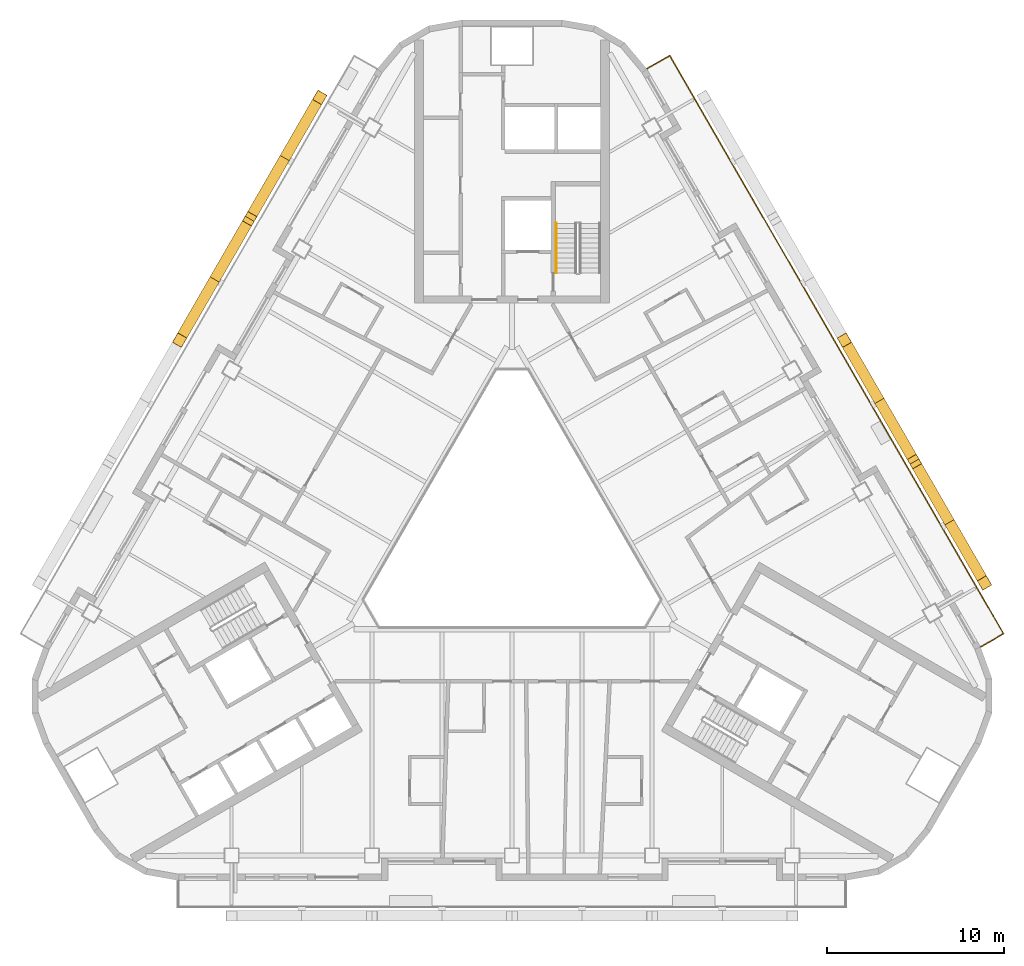
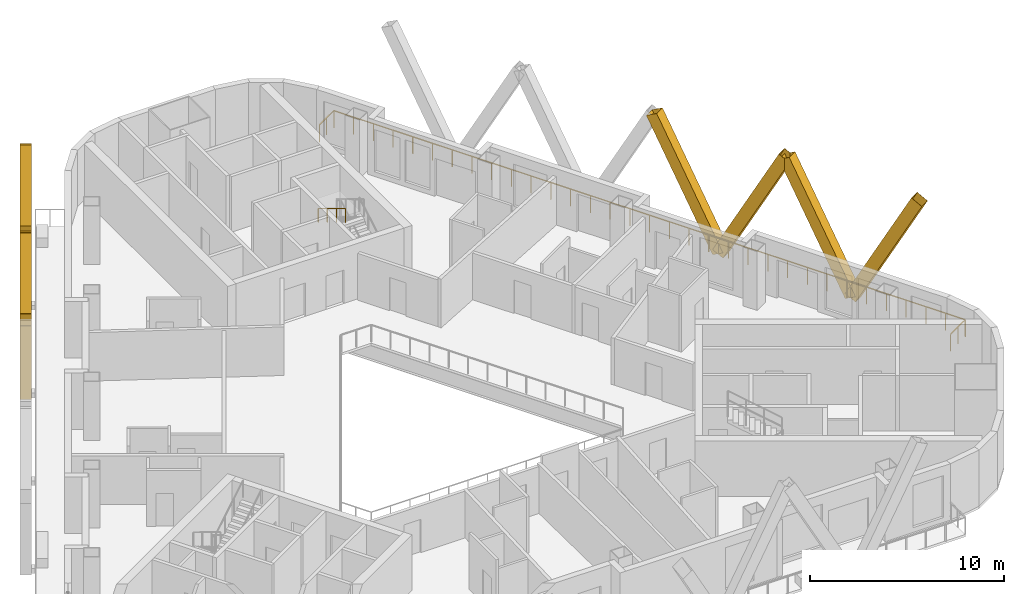
# One storey, part 13 of 14: 8 shading devices, 2 railings.
"""IFC4 building model written with IfcOpenShell, lengths in metres."""

from ifc_helpers import new_model, si_unit, direction, frame, origin, origin_2d, place, context, subcontext, project, spatial, rectangle, hollow_rectangle, circle, extrude, material, material_profile, profile_set, type_object, element, save


model = new_model("IFC4")

# Units and contexts
model_context = context("Model", 3, precision=1e-05, world=origin(), true_north=direction((0.0, 1.0)))
body_context = subcontext(model_context, "Body", "Model", "MODEL_VIEW")
ifc_project = project(units=[si_unit("LENGTHUNIT", "METRE"), si_unit("AREAUNIT", "SQUARE_METRE"), si_unit("VOLUMEUNIT", "CUBIC_METRE"), si_unit("PLANEANGLEUNIT", "RADIAN"), si_unit("MASSUNIT", "GRAM", prefix="KILO")], contexts=[model_context])

# Site, building, storey
site_placement = place(None, origin())
site = spatial("IfcSite", under=ifc_project, at=site_placement, CompositionType="ELEMENT")
building_placement = place(site_placement, origin())
building = spatial("IfcBuilding", under=site, at=building_placement, Name="Apuvela Tower Hotel", CompositionType="ELEMENT")
storey_placement = place(building_placement, frame((0.0, 0.0, 168.800048828125)))
storey = spatial("IfcBuildingStorey", under=building, at=storey_placement, Name="L40", CompositionType="ELEMENT", Elevation=168.800048828125)

# Railing
ifc_material_1 = material(Name="Stainless steel 316 handrail", Category="steel")
railing_type_1 = type_object("IfcRailingType", Name="COR-HANDRAIL-900", PredefinedType="HANDRAIL", material=ifc_material_1)
railing_1_placement = place(storey_placement, frame((2.5, 17.39990234375, 2.01806640625)))
element("IfcRailing", 1, at=railing_1_placement, inside=storey, type_object=railing_type_1, Name="L40 ST1 stair handrail 2", PredefinedType="HANDRAIL", context=body_context, shape_type="SweptSolid", body=[
    extrude(circle(Radius=0.02392578125, at=origin_2d()), frame((0.0, 0.0, 0.8759765625), z_axis=(0.0, -0.857222391501, 0.514946377315), x_axis=(1.0, 0.0, 0.0)), (0.0, 0.0, 1.0), 3.26611328125),
    extrude(rectangle(XDim=0.0419921875, YDim=0.0419921875, at=origin_2d()), origin(), (0.0, 0.0, 1.0), 0.851806640625),
    extrude(rectangle(XDim=0.0419921875, YDim=0.0419921875, at=origin_2d()), frame((0.0, -0.933349609375, 0.560546875)), (0.0, 0.0, 1.0), 0.851806640625),
    extrude(rectangle(XDim=0.0419921875, YDim=0.0419921875, at=origin_2d()), frame((0.0, -1.866455078125, 1.121337890625)), (0.0, 0.0, 1.0), 0.851806640625),
    extrude(rectangle(XDim=0.0419921875, YDim=0.0419921875, at=origin_2d()), frame((0.0, -2.7998046875, 1.681884765625)), (0.0, 0.0, 1.0), 0.851806640625),
])

# Shading devices
ifc_material_2 = material(Name="Aluminium 6063-T6, black anodised", Category="aluminium")
ifc_material_profile = material_profile(ifc_material_2, hollow_rectangle(XDim=0.60009765625, YDim=0.699951171875, WallThickness=0.011962890625, at=origin_2d()), Name="AL BOX 700x600x12")
ifc_profile_set = profile_set([ifc_material_profile], Name="Aluminium 6063-T6, black anodised")
shading_device_type = type_object("IfcShadingDeviceType", Name="ENV-FIN-700x600", PredefinedType="USERDEFINED", material=ifc_profile_set)
for number, where, z_axis, x_axis, name in (
    (2, (24.656982421875, 0.552490234375, -0.10009765625), (0.235457834389, -0.407787356937, 0.88219560175), (0.866005453737, 0.500034552904, 0.0), "Lattice fin NE361"),
    (3, (24.656982421875, 0.552490234375, -0.10009765625), (-0.235427548578, 0.407814415956, 0.882191176281), (-0.866047669374, -0.499961432884, 0.0), "Lattice fin NE362"),
    (4, (20.70703125, 7.394287109375, -0.10009765625), (0.235455039791, -0.407811621453, 0.882185131163), (0.866020906874, 0.500007788796, 0.0), "Lattice fin NE363"),
):
    element("IfcShadingDevice", number, at=place(storey_placement, frame(where, z_axis=z_axis, x_axis=x_axis)), inside=storey, type_object=shading_device_type, Name=name, ObjectType="FIN", PredefinedType="USERDEFINED", context=body_context, shape_type="SweptSolid", body=[
        extrude(hollow_rectangle(XDim=0.60009765625, YDim=0.699951171875, WallThickness=0.011962890625, at=origin_2d()), origin(), (0.0, 0.0, 1.0), 8.388427734375),
    ])
shading_device_placement = place(storey_placement, frame((20.70703125, 7.394287109375, -0.10009765625), z_axis=(-0.235430342887, 0.407790151341, 0.882201647084), x_axis=(-0.866032218625, -0.499988196164, 0.0)))
element("IfcShadingDevice", 5, at=shading_device_placement, inside=storey, type_object=shading_device_type, Name="Lattice fin NE364", ObjectType="FIN", PredefinedType="USERDEFINED", context=body_context, shape_type="SweptSolid", body=[
    extrude(hollow_rectangle(XDim=0.60009765625, YDim=0.699951171875, WallThickness=0.011962890625, at=origin_2d()), origin(), (0.0, 0.0, 1.0), 8.38818359375),
])
for number, where, z_axis, x_axis, name in (
    (6, (-12.80712890625, 21.077392578125, -0.10009765625), (0.235455039791, 0.407811621453, 0.882185131163), (-0.866020906874, 0.500007788796, 0.0), "Lattice fin NW409"),
    (7, (-12.80712890625, 21.077392578125, -0.10009765625), (-0.235427548578, -0.407814415956, 0.882191176281), (0.866047669374, -0.499961432884, 0.0), "Lattice fin NW410"),
    (8, (-16.757080078125, 14.23583984375, -0.10009765625), (0.235457834389, 0.407787356937, 0.88219560175), (-0.866005453737, 0.500034552904, 0.0), "Lattice fin NW411"),
    (9, (-16.757080078125, 14.23583984375, -0.10009765625), (-0.235455039791, -0.407811621453, 0.882185131163), (0.866020906874, -0.500007788796, 0.0), "Lattice fin NW412"),
):
    element("IfcShadingDevice", number, at=place(storey_placement, frame(where, z_axis=z_axis, x_axis=x_axis)), inside=storey, type_object=shading_device_type, Name=name, ObjectType="FIN", PredefinedType="USERDEFINED", context=body_context, shape_type="SweptSolid", body=[
        extrude(hollow_rectangle(XDim=0.60009765625, YDim=0.699951171875, WallThickness=0.011962890625, at=origin_2d()), origin(), (0.0, 0.0, 1.0), 8.388427734375),
    ])

# Railing
ifc_material_3 = material(Name="Stainless steel 316 rail with laminated glass infill", Category="steel")
railing_type_2 = type_object("IfcRailingType", Name="ENV-GUARD-1100", PredefinedType="GUARDRAIL", material=ifc_material_3)
railing_2_placement = place(storey_placement, frame((26.407958984375, -6.47998046875, 0.0)))
element("IfcRailing", 10, at=railing_2_placement, inside=storey, type_object=railing_type_2, Name="Balcony guard NE L40", PredefinedType="GUARDRAIL", context=body_context, shape_type="SweptSolid", body=[
    extrude(rectangle(XDim=0.050048828125, YDim=0.050048828125, at=origin_2d()), frame((0.0, 0.0, 1.0751953125), z_axis=(0.866031096941, 0.499990139034, 0.0), x_axis=(-0.499990139034, 0.866031096941, 0.0)), (0.0, 0.0, 1.0), 1.5),
    extrude(rectangle(XDim=0.050048828125, YDim=0.050048828125, at=origin_2d()), frame((1.299072265625, 0.75, 1.0751953125), z_axis=(-0.500000437506, 0.86602515119, 0.0), x_axis=(-0.86602515119, -0.500000437506, 0.0)), (0.0, 0.0, 1.0), 37.6318359375),
    extrude(rectangle(XDim=0.050048828125, YDim=0.050048828125, at=origin_2d()), frame((-17.516845703125, 33.340087890625, 1.0751953125), z_axis=(-0.86599040064, -0.500060622324, 0.0), x_axis=(0.500060622324, -0.86599040064, 0.0)), (0.0, 0.0, 1.0), 1.499755859375),
    extrude(rectangle(XDim=0.0400390625, YDim=0.0400390625, at=origin_2d()), origin(), (0.0, 0.0, 1.0), 1.050048828125),
    extrude(rectangle(XDim=0.0400390625, YDim=0.0400390625, at=origin_2d()), frame((0.6494140625, 0.375, 0.0)), (0.0, 0.0, 1.0), 1.050048828125),
    extrude(rectangle(XDim=0.0400390625, YDim=0.0400390625, at=origin_2d()), frame((1.299072265625, 0.75, 0.0)), (0.0, 0.0, 1.0), 1.050048828125),
    extrude(rectangle(XDim=0.0400390625, YDim=0.0400390625, at=origin_2d()), frame((0.711181640625, 1.7685546875, 0.0)), (0.0, 0.0, 1.0), 1.050048828125),
    extrude(rectangle(XDim=0.0400390625, YDim=0.0400390625, at=origin_2d()), frame((0.123046875, 2.786865234375, 0.0)), (0.0, 0.0, 1.0), 1.050048828125),
    extrude(rectangle(XDim=0.0400390625, YDim=0.0400390625, at=origin_2d()), frame((-0.46484375, 3.805419921875, 0.0)), (0.0, 0.0, 1.0), 1.050048828125),
    extrude(rectangle(XDim=0.0400390625, YDim=0.0400390625, at=origin_2d()), frame((-1.052978515625, 4.82373046875, 0.0)), (0.0, 0.0, 1.0), 1.050048828125),
    extrude(rectangle(XDim=0.0400390625, YDim=0.0400390625, at=origin_2d()), frame((-1.640869140625, 5.84228515625, 0.0)), (0.0, 0.0, 1.0), 1.050048828125),
    extrude(rectangle(XDim=0.0400390625, YDim=0.0400390625, at=origin_2d()), frame((-2.22900390625, 6.860595703125, 0.0)), (0.0, 0.0, 1.0), 1.050048828125),
    extrude(rectangle(XDim=0.0400390625, YDim=0.0400390625, at=origin_2d()), frame((-2.81689453125, 7.879150390625, 0.0)), (0.0, 0.0, 1.0), 1.050048828125),
    extrude(rectangle(XDim=0.0400390625, YDim=0.0400390625, at=origin_2d()), frame((-3.40478515625, 8.8974609375, 0.0)), (0.0, 0.0, 1.0), 1.050048828125),
    extrude(rectangle(XDim=0.0400390625, YDim=0.0400390625, at=origin_2d()), frame((-3.992919921875, 9.916015625, 0.0)), (0.0, 0.0, 1.0), 1.050048828125),
    extrude(rectangle(XDim=0.0400390625, YDim=0.0400390625, at=origin_2d()), frame((-4.580810546875, 10.934326171875, 0.0)), (0.0, 0.0, 1.0), 1.050048828125),
    extrude(rectangle(XDim=0.0400390625, YDim=0.0400390625, at=origin_2d()), frame((-5.1689453125, 11.952880859375, 0.0)), (0.0, 0.0, 1.0), 1.050048828125),
    extrude(rectangle(XDim=0.0400390625, YDim=0.0400390625, at=origin_2d()), frame((-5.7568359375, 12.97119140625, 0.0)), (0.0, 0.0, 1.0), 1.050048828125),
    extrude(rectangle(XDim=0.0400390625, YDim=0.0400390625, at=origin_2d()), frame((-6.344970703125, 13.98974609375, 0.0)), (0.0, 0.0, 1.0), 1.050048828125),
    extrude(rectangle(XDim=0.0400390625, YDim=0.0400390625, at=origin_2d()), frame((-6.932861328125, 15.008056640625, 0.0)), (0.0, 0.0, 1.0), 1.050048828125),
    extrude(rectangle(XDim=0.0400390625, YDim=0.0400390625, at=origin_2d()), frame((-7.52099609375, 16.026611328125, 0.0)), (0.0, 0.0, 1.0), 1.050048828125),
    extrude(rectangle(XDim=0.0400390625, YDim=0.0400390625, at=origin_2d()), frame((-8.10888671875, 17.044921875, 0.0)), (0.0, 0.0, 1.0), 1.050048828125),
    extrude(rectangle(XDim=0.0400390625, YDim=0.0400390625, at=origin_2d()), frame((-8.69677734375, 18.0634765625, 0.0)), (0.0, 0.0, 1.0), 1.050048828125),
    extrude(rectangle(XDim=0.0400390625, YDim=0.0400390625, at=origin_2d()), frame((-9.284912109375, 19.08203125, 0.0)), (0.0, 0.0, 1.0), 1.050048828125),
    extrude(rectangle(XDim=0.0400390625, YDim=0.0400390625, at=origin_2d()), frame((-9.872802734375, 20.100341796875, 0.0)), (0.0, 0.0, 1.0), 1.050048828125),
    extrude(rectangle(XDim=0.0400390625, YDim=0.0400390625, at=origin_2d()), frame((-10.4609375, 21.118896484375, 0.0)), (0.0, 0.0, 1.0), 1.050048828125),
    extrude(rectangle(XDim=0.0400390625, YDim=0.0400390625, at=origin_2d()), frame((-11.048828125, 22.13720703125, 0.0)), (0.0, 0.0, 1.0), 1.050048828125),
    extrude(rectangle(XDim=0.0400390625, YDim=0.0400390625, at=origin_2d()), frame((-11.636962890625, 23.15576171875, 0.0)), (0.0, 0.0, 1.0), 1.050048828125),
    extrude(rectangle(XDim=0.0400390625, YDim=0.0400390625, at=origin_2d()), frame((-12.224853515625, 24.174072265625, 0.0)), (0.0, 0.0, 1.0), 1.050048828125),
    extrude(rectangle(XDim=0.0400390625, YDim=0.0400390625, at=origin_2d()), frame((-12.81298828125, 25.192626953125, 0.0)), (0.0, 0.0, 1.0), 1.050048828125),
    extrude(rectangle(XDim=0.0400390625, YDim=0.0400390625, at=origin_2d()), frame((-13.40087890625, 26.2109375, 0.0)), (0.0, 0.0, 1.0), 1.050048828125),
    extrude(rectangle(XDim=0.0400390625, YDim=0.0400390625, at=origin_2d()), frame((-13.98876953125, 27.2294921875, 0.0)), (0.0, 0.0, 1.0), 1.050048828125),
    extrude(rectangle(XDim=0.0400390625, YDim=0.0400390625, at=origin_2d()), frame((-14.576904296875, 28.247802734375, 0.0)), (0.0, 0.0, 1.0), 1.050048828125),
    extrude(rectangle(XDim=0.0400390625, YDim=0.0400390625, at=origin_2d()), frame((-15.164794921875, 29.266357421875, 0.0)), (0.0, 0.0, 1.0), 1.050048828125),
    extrude(rectangle(XDim=0.0400390625, YDim=0.0400390625, at=origin_2d()), frame((-15.7529296875, 30.28466796875, 0.0)), (0.0, 0.0, 1.0), 1.050048828125),
    extrude(rectangle(XDim=0.0400390625, YDim=0.0400390625, at=origin_2d()), frame((-16.3408203125, 31.30322265625, 0.0)), (0.0, 0.0, 1.0), 1.050048828125),
    extrude(rectangle(XDim=0.0400390625, YDim=0.0400390625, at=origin_2d()), frame((-16.928955078125, 32.321533203125, 0.0)), (0.0, 0.0, 1.0), 1.050048828125),
    extrude(rectangle(XDim=0.0400390625, YDim=0.0400390625, at=origin_2d()), frame((-17.516845703125, 33.340087890625, 0.0)), (0.0, 0.0, 1.0), 1.050048828125),
    extrude(rectangle(XDim=0.0400390625, YDim=0.0400390625, at=origin_2d()), frame((-18.166259765625, 32.965087890625, 0.0)), (0.0, 0.0, 1.0), 1.050048828125),
    extrude(rectangle(XDim=0.0400390625, YDim=0.0400390625, at=origin_2d()), frame((-18.815673828125, 32.590087890625, 0.0)), (0.0, 0.0, 1.0), 1.050048828125),
])

save(model, "model.ifc")
